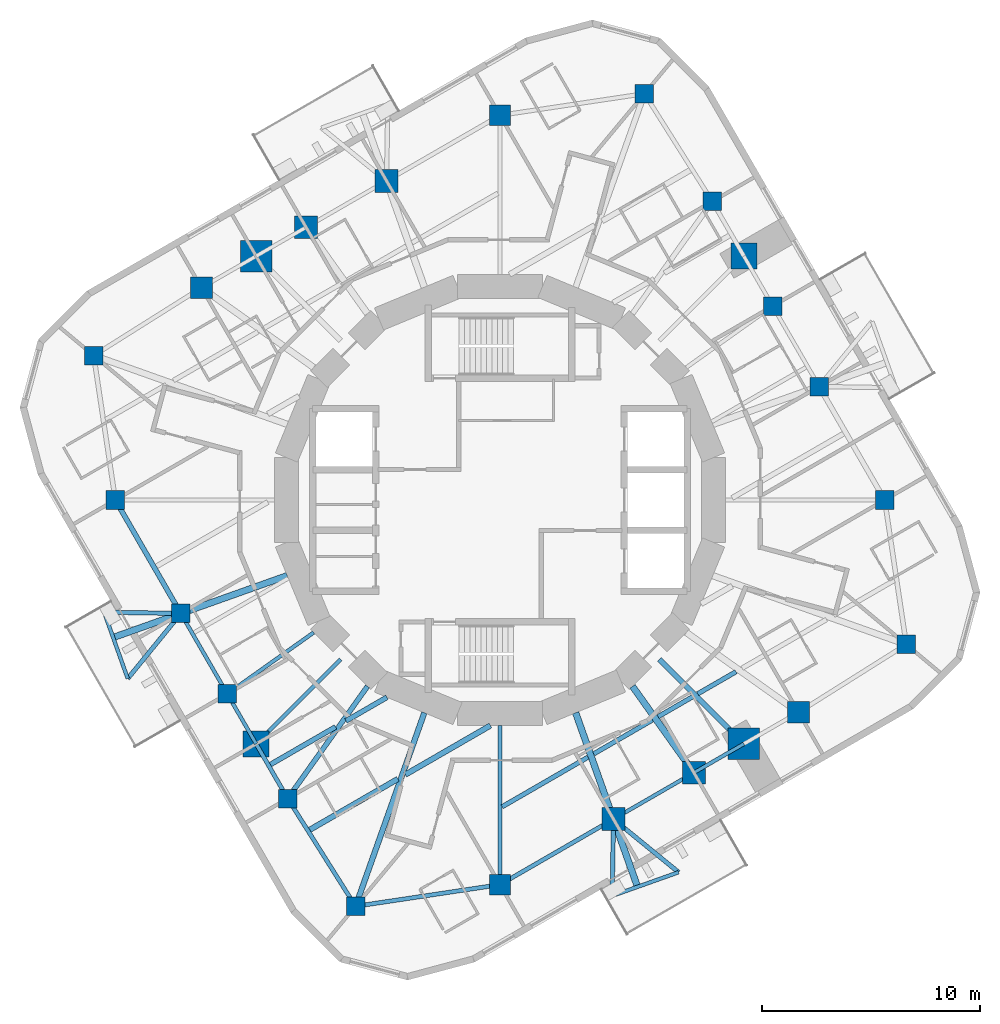
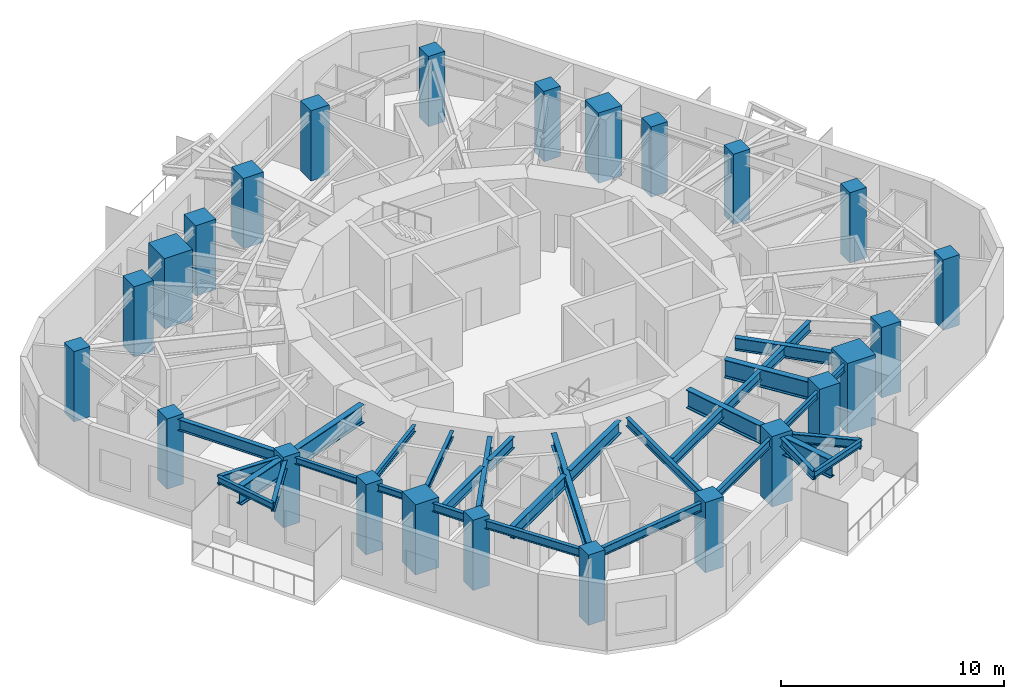
# One storey, part 1 of 11: 32 beams, 24 columns.
"""IFC4 building model written with IfcOpenShell, lengths in metres."""

from ifc_helpers import new_model, si_unit, direction, frame, origin, origin_2d, place, context, subcontext, project, spatial, rectangle, i_section, extrude, material, material_profile, profile_set, type_object, element, save


model = new_model("IFC4")

# Units and contexts
model_context = context("Model", 3, precision=1e-05, world=origin(), true_north=direction((0.0, 1.0)))
body_context = subcontext(model_context, "Body", "Model", "MODEL_VIEW")
ifc_project = project(units=[si_unit("LENGTHUNIT", "METRE"), si_unit("AREAUNIT", "SQUARE_METRE"), si_unit("VOLUMEUNIT", "CUBIC_METRE"), si_unit("PLANEANGLEUNIT", "RADIAN"), si_unit("MASSUNIT", "GRAM", prefix="KILO")], contexts=[model_context])

# Site, building, storey
site_placement = place(None, origin())
site = spatial("IfcSite", under=ifc_project, at=site_placement, CompositionType="ELEMENT")
building_placement = place(site_placement, origin())
building = spatial("IfcBuilding", under=site, at=building_placement, Name="Nakasero Lantern House", CompositionType="ELEMENT")
storey_placement = place(building_placement, frame((0.0, 0.0, 246.199951171875)))
storey = spatial("IfcBuildingStorey", under=building, at=storey_placement, Name="L60", CompositionType="ELEMENT", Elevation=246.199951171875)

# Columns
ifc_material_1 = material(Name="Concrete C45/55", Category="concrete")
ifc_material_profile_1 = material_profile(ifc_material_1, rectangle(XDim=1.199951171875, YDim=1.199951171875, at=origin_2d()), Name="RC 1200x1200")
ifc_profile_set_1 = profile_set([ifc_material_profile_1], Name="Concrete C45/55")
column_type_1 = type_object("IfcColumnType", Name="Mega column RC 1200x1200 C45/55", PredefinedType="COLUMN", material=ifc_profile_set_1)
for number, where, z_axis, x_axis, name in (
    (1, (11.200439453125, 11.200439453125, 0.0), (0.0, 0.0, 1.0), (1.0, 0.0, 0.0), "Column B6-C06 L60"),
    (2, (-11.200439453125, -11.200439453125, 0.0), (0.0, 0.0, 1.0), (1.0, 0.0, 0.0), "Column B6-C18 L60"),
):
    element("IfcColumn", number, at=place(storey_placement, frame(where, z_axis=z_axis, x_axis=x_axis)), inside=storey, type_object=column_type_1, Name=name, PredefinedType="COLUMN", context=body_context, shape_type="SweptSolid", body=[
        extrude(rectangle(XDim=1.199951171875, YDim=1.199951171875, at=origin_2d()), origin(), (0.0, 0.0, 1.0), 3.85009765625),
    ])
ifc_material_2 = material(Name="Concrete C45/55", Category="concrete")
ifc_material_profile_2 = material_profile(ifc_material_2, rectangle(XDim=1.449951171875, YDim=1.449951171875, at=origin_2d()), Name="RC 1450x1450")
ifc_profile_set_2 = profile_set([ifc_material_profile_2], Name="Concrete C45/55")
column_type_2 = type_object("IfcColumnType", Name="Mega column RC 1450x1450 C45/55", PredefinedType="COLUMN", material=ifc_profile_set_2)
for number, where, z_axis, x_axis, name in (
    (3, (-11.200439453125, 11.200439453125, 0.0), (0.0, 0.0, 1.0), (1.0, 0.0, 0.0), "Column B6-C12 L60"),
    (4, (11.200439453125, -11.200439453125, 0.0), (0.0, 0.0, 1.0), (1.0, 0.0, 0.0), "Column B6-C24 L60"),
):
    element("IfcColumn", number, at=place(storey_placement, frame(where, z_axis=z_axis, x_axis=x_axis)), inside=storey, type_object=column_type_2, Name=name, PredefinedType="COLUMN", context=body_context, shape_type="SweptSolid", body=[
        extrude(rectangle(XDim=1.449951171875, YDim=1.449951171875, at=origin_2d()), origin(), (0.0, 0.0, 1.0), 3.85009765625),
    ])
ifc_material_3 = material(Name="Concrete C45/55", Category="concrete")
ifc_material_profile_3 = material_profile(ifc_material_3, rectangle(XDim=1.0, YDim=1.0, at=origin_2d()), Name="RC 1000x1000")
ifc_profile_set_3 = profile_set([ifc_material_profile_3], Name="Concrete C45/55")
column_type_3 = type_object("IfcColumnType", Name="Ring column RC 1000x1000 C45/55", PredefinedType="COLUMN", material=ifc_profile_set_3)
for number, where, z_axis, x_axis, name in (
    (5, (13.711669921875, -9.75048828125, 0.0), (0.0, 0.0, 1.0), (1.0, 0.0, 0.0), "Column B6-C01 L60"),
    (6, (-13.711669921875, 9.75048828125, 0.0), (0.0, 0.0, 1.0), (1.0, 0.0, 0.0), "Column B6-C13 L60"),
):
    element("IfcColumn", number, at=place(storey_placement, frame(where, z_axis=z_axis, x_axis=x_axis)), inside=storey, type_object=column_type_3, Name=name, PredefinedType="COLUMN", context=body_context, shape_type="SweptSolid", body=[
        extrude(rectangle(XDim=1.0, YDim=1.0, at=origin_2d()), origin(), (0.0, 0.0, 1.0), 3.85009765625),
    ])
ifc_material_4 = material(Name="Concrete C45/55", Category="concrete")
ifc_material_profile_4 = material_profile(ifc_material_4, rectangle(XDim=1.050048828125, YDim=1.050048828125, at=origin_2d()), Name="RC 1050x1050")
ifc_profile_set_4 = profile_set([ifc_material_profile_4], Name="Concrete C45/55")
column_type_4 = type_object("IfcColumnType", Name="Ring column RC 1050x1050 C45/55", PredefinedType="COLUMN", material=ifc_profile_set_4)
for number, where, z_axis, x_axis, name in (
    (7, (-5.211669921875, 14.657958984375, 0.0), (0.0, 0.0, 1.0), (1.0, 0.0, 0.0), "Column B6-C10 L60"),
    (8, (-8.906494140625, 12.524658203125, 0.0), (0.0, 0.0, 1.0), (1.0, 0.0, 0.0), "Column B6-C11 L60"),
    (9, (5.211669921875, -14.657958984375, 0.0), (0.0, 0.0, 1.0), (1.0, 0.0, 0.0), "Column B6-C22 L60"),
    (10, (8.906494140625, -12.524658203125, 0.0), (0.0, 0.0, 1.0), (1.0, 0.0, 0.0), "Column B6-C23 L60"),
):
    element("IfcColumn", number, at=place(storey_placement, frame(where, z_axis=z_axis, x_axis=x_axis)), inside=storey, type_object=column_type_4, Name=name, PredefinedType="COLUMN", context=body_context, shape_type="SweptSolid", body=[
        extrude(rectangle(XDim=1.050048828125, YDim=1.050048828125, at=origin_2d()), origin(), (0.0, 0.0, 1.0), 3.85009765625),
    ])
ifc_material_5 = material(Name="Concrete C45/55", Category="concrete")
ifc_material_profile_5 = material_profile(ifc_material_5, rectangle(XDim=0.85009765625, YDim=0.85009765625, at=origin_2d()), Name="RC 850x850")
ifc_profile_set_5 = profile_set([ifc_material_profile_5], Name="Concrete C45/55")
column_type_5 = type_object("IfcColumnType", Name="Ring column RC 850x850 C45/55", PredefinedType="COLUMN", material=ifc_profile_set_5)
for number, where, z_axis, x_axis, name in (
    (11, (18.661376953125, -6.63525390625, 0.0), (0.0, 0.0, 1.0), (1.0, 0.0, 0.0), "Column B6-C02 L60"),
    (12, (17.6669921875, 0.0, 0.0), (0.0, 0.0, 1.0), (1.0, 0.0, 0.0), "Column B6-C03 L60"),
    (13, (14.657958984375, 5.211669921875, 0.0), (0.0, 0.0, 1.0), (1.0, 0.0, 0.0), "Column B6-C04 L60"),
    (14, (12.524658203125, 8.906494140625, 0.0), (0.0, 0.0, 1.0), (1.0, 0.0, 0.0), "Column B6-C05 L60"),
    (15, (9.75048828125, 13.711669921875, 0.0), (0.0, 0.0, 1.0), (1.0, 0.0, 0.0), "Column B6-C07 L60"),
    (16, (6.63525390625, 18.661376953125, 0.0), (0.0, 0.0, 1.0), (1.0, 0.0, 0.0), "Column B6-C08 L60"),
    (17, (-18.661376953125, 6.63525390625, 0.0), (0.0, 0.0, 1.0), (1.0, 0.0, 0.0), "Column B6-C14 L60"),
    (18, (-17.6669921875, 0.0, 0.0), (0.0, 0.0, 1.0), (1.0, 0.0, 0.0), "Column B6-C15 L60"),
    (19, (-14.657958984375, -5.211669921875, 0.0), (0.0, 0.0, 1.0), (1.0, 0.0, 0.0), "Column B6-C16 L60"),
    (20, (-12.524658203125, -8.906494140625, 0.0), (0.0, 0.0, 1.0), (1.0, 0.0, 0.0), "Column B6-C17 L60"),
    (21, (-9.75048828125, -13.711669921875, 0.0), (0.0, 0.0, 1.0), (1.0, 0.0, 0.0), "Column B6-C19 L60"),
    (22, (-6.63525390625, -18.661376953125, 0.0), (0.0, 0.0, 1.0), (1.0, 0.0, 0.0), "Column B6-C20 L60"),
):
    element("IfcColumn", number, at=place(storey_placement, frame(where, z_axis=z_axis, x_axis=x_axis)), inside=storey, type_object=column_type_5, Name=name, PredefinedType="COLUMN", context=body_context, shape_type="SweptSolid", body=[
        extrude(rectangle(XDim=0.85009765625, YDim=0.85009765625, at=origin_2d()), origin(), (0.0, 0.0, 1.0), 3.85009765625),
    ])
ifc_material_6 = material(Name="Concrete C45/55", Category="concrete")
ifc_material_profile_6 = material_profile(ifc_material_6, rectangle(XDim=0.949951171875, YDim=0.949951171875, at=origin_2d()), Name="RC 950x950")
ifc_profile_set_6 = profile_set([ifc_material_profile_6], Name="Concrete C45/55")
column_type_6 = type_object("IfcColumnType", Name="Ring column RC 950x950 C45/55", PredefinedType="COLUMN", material=ifc_profile_set_6)
for number, where, z_axis, x_axis, name in (
    (23, (0.0, 17.6669921875, 0.0), (0.0, 0.0, 1.0), (1.0, 0.0, 0.0), "Column B6-C09 L60"),
    (24, (0.0, -17.6669921875, 0.0), (0.0, 0.0, 1.0), (1.0, 0.0, 0.0), "Column B6-C21 L60"),
):
    element("IfcColumn", number, at=place(storey_placement, frame(where, z_axis=z_axis, x_axis=x_axis)), inside=storey, type_object=column_type_6, Name=name, PredefinedType="COLUMN", context=body_context, shape_type="SweptSolid", body=[
        extrude(rectangle(XDim=0.949951171875, YDim=0.949951171875, at=origin_2d()), origin(), (0.0, 0.0, 1.0), 3.85009765625),
    ])

# Beams
ifc_material_7 = material(Name="Steel S355", Category="steel")
ifc_material_profile_7 = material_profile(ifc_material_7, i_section(OverallWidth=0.199462890625, OverallDepth=0.491943359375, WebThickness=0.01806640625, FlangeThickness=0.031982421875, FilletRadius=0.01025390625, at=origin_2d()), Name="UB 457x191x161")
ifc_profile_set_7 = profile_set([ifc_material_profile_7], Name="Steel S355")
beam_type_1 = type_object("IfcBeamType", Name="Balcony splay beam UB 457x191x161", PredefinedType="BEAM", material=ifc_profile_set_7)
beam_1_placement = place(storey_placement, frame((-14.657958984375, -5.211669921875, 3.404052734375), z_axis=(-0.632127727159, -0.774864205236, 0.0), x_axis=(0.774864205236, -0.632127727159, 0.0)))
element("IfcBeam", 25, at=beam_1_placement, inside=storey, type_object=beam_type_1, Name="Balcony splay beam L61 B6-C16A", PredefinedType="BEAM", context=body_context, shape_type="SweptSolid", body=[
    extrude(i_section(OverallWidth=0.199462890625, OverallDepth=0.491943359375, WebThickness=0.01806640625, FlangeThickness=0.031982421875, FilletRadius=0.01025390625, at=origin_2d()), origin(), (0.0, 0.0, 1.0), 3.858642578125),
])
beam_2_placement = place(storey_placement, frame((-14.657958984375, -5.211669921875, 3.404052734375), z_axis=(-0.99985827803, 0.016835196893, 0.0), x_axis=(-0.016835196893, -0.99985827803, 0.0)))
element("IfcBeam", 26, at=beam_2_placement, inside=storey, type_object=beam_type_1, Name="Balcony splay beam L61 B6-C16B", PredefinedType="BEAM", context=body_context, shape_type="SweptSolid", body=[
    extrude(i_section(OverallWidth=0.199462890625, OverallDepth=0.491943359375, WebThickness=0.01806640625, FlangeThickness=0.031982421875, FilletRadius=0.01025390625, at=origin_2d()), origin(), (0.0, 0.0, 1.0), 3.52392578125),
])
beam_3_placement = place(storey_placement, frame((5.211669921875, -14.657958984375, 3.404052734375), z_axis=(0.774864205236, -0.632127727159, 0.0), x_axis=(0.632127727159, 0.774864205236, 0.0)))
element("IfcBeam", 27, at=beam_3_placement, inside=storey, type_object=beam_type_1, Name="Balcony splay beam L61 B6-C22A", PredefinedType="BEAM", context=body_context, shape_type="SweptSolid", body=[
    extrude(i_section(OverallWidth=0.199462890625, OverallDepth=0.491943359375, WebThickness=0.01806640625, FlangeThickness=0.031982421875, FilletRadius=0.01025390625, at=origin_2d()), origin(), (0.0, 0.0, 1.0), 3.858642578125),
])
beam_4_placement = place(storey_placement, frame((5.211669921875, -14.657958984375, 3.404052734375), z_axis=(-0.016835196893, -0.99985827803, 0.0), x_axis=(0.99985827803, -0.016835196893, 0.0)))
element("IfcBeam", 28, at=beam_4_placement, inside=storey, type_object=beam_type_1, Name="Balcony splay beam L61 B6-C22B", PredefinedType="BEAM", context=body_context, shape_type="SweptSolid", body=[
    extrude(i_section(OverallWidth=0.199462890625, OverallDepth=0.491943359375, WebThickness=0.01806640625, FlangeThickness=0.031982421875, FilletRadius=0.01025390625, at=origin_2d()), origin(), (0.0, 0.0, 1.0), 3.52392578125),
])
ifc_material_8 = material(Name="Steel S355", Category="steel")
ifc_material_profile_8 = material_profile(ifc_material_8, i_section(OverallWidth=0.17138671875, OverallDepth=0.35498046875, WebThickness=0.00732421875, FlangeThickness=0.011474609375, FilletRadius=0.01025390625, at=origin_2d()), Name="UB 356x171x51")
ifc_profile_set_8 = profile_set([ifc_material_profile_8], Name="Steel S355")
beam_type_2 = type_object("IfcBeamType", Name="Balcony tie beam UB 356x171x51", PredefinedType="BEAM", material=ifc_profile_set_8)
for number, where, z_axis, x_axis, name in (
    (29, (-17.09716796875, -8.20166015625, 3.47265625), (-0.335017108852, 0.942212044487, 0.0), (-0.942212044487, -0.335017108852, 0.0), "Balcony tie beam L61 B6-C16"),
    (30, (8.20166015625, -17.09716796875, 3.47265625), (-0.942212044487, -0.335017108852, 0.0), (0.335017108852, -0.942212044487, 0.0), "Balcony tie beam L61 B6-C22"),
):
    element("IfcBeam", number, at=place(storey_placement, frame(where, z_axis=z_axis, x_axis=x_axis)), inside=storey, type_object=beam_type_2, Name=name, PredefinedType="BEAM", context=body_context, shape_type="SweptSolid", body=[
        extrude(i_section(OverallWidth=0.17138671875, OverallDepth=0.35498046875, WebThickness=0.00732421875, FlangeThickness=0.011474609375, FilletRadius=0.01025390625, at=origin_2d()), origin(), (0.0, 0.0, 1.0), 3.236328125),
    ])
ifc_material_9 = material(Name="Steel S355", Category="steel")
ifc_material_profile_9 = material_profile(ifc_material_9, i_section(OverallWidth=0.2099609375, OverallDepth=0.53662109375, WebThickness=0.0107421875, FlangeThickness=0.017333984375, FilletRadius=0.0126953125, at=origin_2d()), Name="UB 533x210x101")
ifc_profile_set_9 = profile_set([ifc_material_profile_9], Name="Steel S355")
beam_type_3 = type_object("IfcBeamType", Name="Infill beam UB 533x210x101", PredefinedType="JOIST", material=ifc_profile_set_9)
beam_5_placement = place(storey_placement, frame((0.095703125, -14.08984375, 3.381591796875), z_axis=(0.866027576455, 0.499996236806, 0.0), x_axis=(-0.499996236806, 0.866027576455, 0.0)))
element("IfcBeam", 31, at=beam_5_placement, inside=storey, type_object=beam_type_3, Name="Infill beam L61 03.1", PredefinedType="JOIST", context=body_context, shape_type="SweptSolid", body=[
    extrude(i_section(OverallWidth=0.2099609375, OverallDepth=0.53662109375, WebThickness=0.0107421875, FlangeThickness=0.017333984375, FilletRadius=0.0126953125, at=origin_2d()), origin(), (0.0, 0.0, 1.0), 4.55419921875),
])
beam_6_placement = place(storey_placement, frame((4.3056640625, -11.6591796875, 3.381591796875), z_axis=(0.866018346476, 0.500012223418, 0.0), x_axis=(-0.500012223418, 0.866018346476, 0.0)))
element("IfcBeam", 32, at=beam_6_placement, inside=storey, type_object=beam_type_3, Name="Infill beam L61 03.2", PredefinedType="JOIST", context=body_context, shape_type="SweptSolid", body=[
    extrude(i_section(OverallWidth=0.2099609375, OverallDepth=0.53662109375, WebThickness=0.0107421875, FlangeThickness=0.017333984375, FilletRadius=0.0126953125, at=origin_2d()), origin(), (0.0, 0.0, 1.0), 3.11181640625),
])
beam_7_placement = place(storey_placement, frame((7.261474609375, -9.95263671875, 3.381591796875), z_axis=(0.866028611999, 0.499994443168, 0.0), x_axis=(-0.499994443168, 0.866028611999, 0.0)))
element("IfcBeam", 33, at=beam_7_placement, inside=storey, type_object=beam_type_3, Name="Infill beam L61 03.3", PredefinedType="JOIST", context=body_context, shape_type="SweptSolid", body=[
    extrude(i_section(OverallWidth=0.2099609375, OverallDepth=0.53662109375, WebThickness=0.0107421875, FlangeThickness=0.017333984375, FilletRadius=0.0126953125, at=origin_2d()), origin(), (0.0, 0.0, 1.0), 1.8388671875),
])
beam_8_placement = place(storey_placement, frame((9.081298828125, -8.90185546875, 3.381591796875), z_axis=(0.866073420066, 0.499916824138, 0.0), x_axis=(-0.499916824138, 0.866073420066, 0.0)))
element("IfcBeam", 34, at=beam_8_placement, inside=storey, type_object=beam_type_3, Name="Infill beam L61 03.4", PredefinedType="JOIST", context=body_context, shape_type="SweptSolid", body=[
    extrude(i_section(OverallWidth=0.2099609375, OverallDepth=0.53662109375, WebThickness=0.0107421875, FlangeThickness=0.017333984375, FilletRadius=0.0126953125, at=origin_2d()), origin(), (0.0, 0.0, 1.0), 2.029541015625),
])
ifc_material_10 = material(Name="Steel S355", Category="steel")
ifc_material_profile_10 = material_profile(ifc_material_10, i_section(OverallWidth=0.22900390625, OverallDepth=0.6123046875, WebThickness=0.011962890625, FlangeThickness=0.01953125, FilletRadius=0.0126953125, at=origin_2d()), Name="UB 610x229x125")
ifc_profile_set_10 = profile_set([ifc_material_profile_10], Name="Steel S355")
beam_type_4 = type_object("IfcBeamType", Name="Infill beam UB 610x229x125", PredefinedType="JOIST", material=ifc_profile_set_10)
beam_9_placement = place(storey_placement, frame((-10.542236328125, -12.14892578125, 3.343994140625), z_axis=(0.866006607564, 0.500032554596, 0.0), x_axis=(-0.500032554596, 0.866006607564, 0.0)))
element("IfcBeam", 35, at=beam_9_placement, inside=storey, type_object=beam_type_4, Name="Infill beam L61 05.1", PredefinedType="JOIST", context=body_context, shape_type="SweptSolid", body=[
    extrude(i_section(OverallWidth=0.22900390625, OverallDepth=0.6123046875, WebThickness=0.011962890625, FlangeThickness=0.01953125, FilletRadius=0.0126953125, at=origin_2d()), origin(), (0.0, 0.0, 1.0), 3.452880859375),
])
beam_10_placement = place(storey_placement, frame((-7.0751953125, -10.14697265625, 3.343994140625), z_axis=(0.866043427695, 0.499968780372, 0.0), x_axis=(-0.499968780372, 0.866043427695, 0.0)))
element("IfcBeam", 36, at=beam_10_placement, inside=storey, type_object=beam_type_4, Name="Infill beam L61 05.2", PredefinedType="JOIST", context=body_context, shape_type="SweptSolid", body=[
    extrude(i_section(OverallWidth=0.22900390625, OverallDepth=0.6123046875, WebThickness=0.011962890625, FlangeThickness=0.01953125, FilletRadius=0.0126953125, at=origin_2d()), origin(), (0.0, 0.0, 1.0), 2.173583984375),
])
ifc_material_11 = material(Name="Steel S355", Category="steel")
ifc_material_profile_11 = material_profile(ifc_material_11, i_section(OverallWidth=0.253662109375, OverallDepth=0.68359375, WebThickness=0.012451171875, FlangeThickness=0.01904296875, FilletRadius=0.01513671875, at=origin_2d()), Name="UB 686x254x140")
ifc_profile_set_11 = profile_set([ifc_material_profile_11], Name="Steel S355")
beam_type_5 = type_object("IfcBeamType", Name="Infill beam UB 686x254x140", PredefinedType="JOIST", material=ifc_profile_set_11)
beam_11_placement = place(storey_placement, frame((-8.735107421875, -15.146728515625, 3.308349609375), z_axis=(0.866030607649, 0.499990986534, 0.0), x_axis=(-0.499990986534, 0.866030607649, 0.0)))
element("IfcBeam", 37, at=beam_11_placement, inside=storey, type_object=beam_type_5, Name="Infill beam L61 04.1", PredefinedType="JOIST", context=body_context, shape_type="SweptSolid", body=[
    extrude(i_section(OverallWidth=0.253662109375, OverallDepth=0.68359375, WebThickness=0.012451171875, FlangeThickness=0.01904296875, FilletRadius=0.01513671875, at=origin_2d()), origin(), (0.0, 0.0, 1.0), 4.66943359375),
])
beam_12_placement = place(storey_placement, frame((-4.349609375, -12.61474609375, 3.308349609375), z_axis=(0.86603787505, 0.499978398512, 0.0), x_axis=(-0.499978398512, 0.86603787505, 0.0)))
element("IfcBeam", 38, at=beam_12_placement, inside=storey, type_object=beam_type_5, Name="Infill beam L61 04.2", PredefinedType="JOIST", context=body_context, shape_type="SweptSolid", body=[
    extrude(i_section(OverallWidth=0.253662109375, OverallDepth=0.68359375, WebThickness=0.012451171875, FlangeThickness=0.01904296875, FilletRadius=0.01513671875, at=origin_2d()), origin(), (0.0, 0.0, 1.0), 4.513916015625),
])
ifc_material_12 = material(Name="Steel S355", Category="steel")
ifc_material_profile_12 = material_profile(ifc_material_12, i_section(OverallWidth=0.300048828125, OverallDepth=0.989990234375, WebThickness=0.0166015625, FlangeThickness=0.031005859375, FilletRadius=0.030029296875, at=origin_2d()), Name="UB 1016x305x272")
ifc_profile_set_12 = profile_set([ifc_material_profile_12], Name="Steel S355")
beam_type_6 = type_object("IfcBeamType", Name="Primary beam UB 1016x305x272, span to 6 m", PredefinedType="BEAM", material=ifc_profile_set_12)
beam_13_placement = place(storey_placement, frame((8.906494140625, -12.524658203125, 3.155029296875), z_axis=(-0.579513415446, 0.814962699342, 0.0), x_axis=(-0.814962699342, -0.579513415446, 0.0)))
element("IfcBeam", 39, at=beam_13_placement, inside=storey, type_object=beam_type_6, Name="Primary beam L61 B6-C23", PredefinedType="BEAM", context=body_context, shape_type="SweptSolid", body=[
    extrude(i_section(OverallWidth=0.300048828125, OverallDepth=0.989990234375, WebThickness=0.0166015625, FlangeThickness=0.031005859375, FilletRadius=0.030029296875, at=origin_2d()), origin(), (0.0, 0.0, 1.0), 4.8642578125),
])
ifc_material_13 = material(Name="Steel S355", Category="steel")
ifc_material_profile_13 = material_profile(ifc_material_13, i_section(OverallWidth=0.302001953125, OverallDepth=1.008056640625, WebThickness=0.02099609375, FlangeThickness=0.0400390625, FilletRadius=0.030029296875, at=origin_2d()), Name="UB 1016x305x349")
ifc_profile_set_13 = profile_set([ifc_material_profile_13], Name="Steel S355")
beam_type_7 = type_object("IfcBeamType", Name="Primary beam UB 1016x305x349, span to 6 m", PredefinedType="BEAM", material=ifc_profile_set_13)
for number, where, z_axis, x_axis, name in (
    (40, (-17.767333984375, -6.317138671875, 3.14599609375), (0.94222457875, 0.33498185503, 0.0), (-0.33498185503, 0.94222457875, 0.0), "Primary beam L61 B6-C16"),
    (41, (6.317138671875, -17.767333984375, 3.14599609375), (-0.33498185503, 0.94222457875, 0.0), (-0.94222457875, -0.33498185503, 0.0), "Primary beam L61 B6-C22"),
):
    element("IfcBeam", number, at=place(storey_placement, frame(where, z_axis=z_axis, x_axis=x_axis)), inside=storey, type_object=beam_type_7, Name=name, PredefinedType="BEAM", context=body_context, shape_type="SweptSolid", body=[
        extrude(i_section(OverallWidth=0.302001953125, OverallDepth=1.008056640625, WebThickness=0.02099609375, FlangeThickness=0.0400390625, FilletRadius=0.030029296875, at=origin_2d()), origin(), (0.0, 0.0, 1.0), 8.485595703125),
    ])
ifc_material_14 = material(Name="Steel S355", Category="steel")
ifc_material_profile_14 = material_profile(ifc_material_14, i_section(OverallWidth=0.17138671875, OverallDepth=0.35498046875, WebThickness=0.00732421875, FlangeThickness=0.011474609375, FilletRadius=0.01025390625, at=origin_2d()), Name="UB 356x171x51")
ifc_profile_set_14 = profile_set([ifc_material_profile_14], Name="Steel S355")
beam_type_8 = type_object("IfcBeamType", Name="Primary beam UB 356x171x51, span to 6 m", PredefinedType="BEAM", material=ifc_profile_set_14)
beam_14_placement = place(storey_placement, frame((-12.524658203125, -8.906494140625, 3.47265625), z_axis=(0.814962699342, 0.579513415446, 0.0), x_axis=(-0.579513415446, 0.814962699342, 0.0)))
element("IfcBeam", 42, at=beam_14_placement, inside=storey, type_object=beam_type_8, Name="Primary beam L61 B6-C17", PredefinedType="BEAM", context=body_context, shape_type="SweptSolid", body=[
    extrude(i_section(OverallWidth=0.17138671875, OverallDepth=0.35498046875, WebThickness=0.00732421875, FlangeThickness=0.011474609375, FilletRadius=0.01025390625, at=origin_2d()), origin(), (0.0, 0.0, 1.0), 4.8642578125),
])
beam_15_placement = place(storey_placement, frame((-11.200439453125, -11.200439453125, 3.47265625), z_axis=(0.707106781187, 0.707106781187, 0.0), x_axis=(-0.707106781187, 0.707106781187, 0.0)))
element("IfcBeam", 43, at=beam_15_placement, inside=storey, type_object=beam_type_8, Name="Primary beam L61 B6-C18", PredefinedType="BEAM", context=body_context, shape_type="SweptSolid", body=[
    extrude(i_section(OverallWidth=0.17138671875, OverallDepth=0.35498046875, WebThickness=0.00732421875, FlangeThickness=0.011474609375, FilletRadius=0.01025390625, at=origin_2d()), origin(), (0.0, 0.0, 1.0), 5.481689453125),
])
ifc_material_15 = material(Name="Steel S355", Category="steel")
ifc_material_profile_15 = material_profile(ifc_material_15, i_section(OverallWidth=0.19140625, OverallDepth=0.4599609375, WebThickness=0.010009765625, FlangeThickness=0.01611328125, FilletRadius=0.01025390625, at=origin_2d()), Name="UB 457x191x82")
ifc_profile_set_15 = profile_set([ifc_material_profile_15], Name="Steel S355")
beam_type_9 = type_object("IfcBeamType", Name="Primary beam UB 457x191x82, span 6 to 9 m", PredefinedType="BEAM", material=ifc_profile_set_15)
beam_16_placement = place(storey_placement, frame((0.0, -17.6669921875, 3.420166015625), z_axis=(0.0, 1.0, 0.0), x_axis=(-1.0, 0.0, 0.0)))
element("IfcBeam", 44, at=beam_16_placement, inside=storey, type_object=beam_type_9, Name="Primary beam L61 B6-C21", PredefinedType="BEAM", context=body_context, shape_type="SweptSolid", body=[
    extrude(i_section(OverallWidth=0.19140625, OverallDepth=0.4599609375, WebThickness=0.010009765625, FlangeThickness=0.01611328125, FilletRadius=0.01025390625, at=origin_2d()), origin(), (0.0, 0.0, 1.0), 7.30908203125),
])
ifc_material_16 = material(Name="Steel S355", Category="steel")
ifc_material_profile_16 = material_profile(ifc_material_16, i_section(OverallWidth=0.22900390625, OverallDepth=0.6123046875, WebThickness=0.011962890625, FlangeThickness=0.01953125, FilletRadius=0.0126953125, at=origin_2d()), Name="UB 610x229x125")
ifc_profile_set_16 = profile_set([ifc_material_profile_16], Name="Steel S355")
beam_type_10 = type_object("IfcBeamType", Name="Primary beam UB 610x229x125, span 6 to 9 m", PredefinedType="BEAM", material=ifc_profile_set_16)
beam_17_placement = place(storey_placement, frame((-9.75048828125, -13.711669921875, 3.343994140625), z_axis=(0.579504973637, 0.814968702178, 0.0), x_axis=(-0.814968702178, 0.579504973637, 0.0)))
element("IfcBeam", 45, at=beam_17_placement, inside=storey, type_object=beam_type_10, Name="Primary beam L61 B6-C19", PredefinedType="BEAM", context=body_context, shape_type="SweptSolid", body=[
    extrude(i_section(OverallWidth=0.22900390625, OverallDepth=0.6123046875, WebThickness=0.011962890625, FlangeThickness=0.01953125, FilletRadius=0.0126953125, at=origin_2d()), origin(), (0.0, 0.0, 1.0), 6.320556640625),
])
ifc_material_17 = material(Name="Steel S355", Category="steel")
ifc_material_profile_17 = material_profile(ifc_material_17, i_section(OverallWidth=0.253662109375, OverallDepth=0.68359375, WebThickness=0.012451171875, FlangeThickness=0.01904296875, FilletRadius=0.01513671875, at=origin_2d()), Name="UB 686x254x140")
ifc_profile_set_17 = profile_set([ifc_material_profile_17], Name="Steel S355")
beam_type_11 = type_object("IfcBeamType", Name="Primary beam UB 686x254x140, span to 6 m", PredefinedType="BEAM", material=ifc_profile_set_17)
beam_18_placement = place(storey_placement, frame((11.200439453125, -11.200439453125, 3.308349609375), z_axis=(-0.707106781187, 0.707106781187, 0.0), x_axis=(-0.707106781187, -0.707106781187, 0.0)))
element("IfcBeam", 46, at=beam_18_placement, inside=storey, type_object=beam_type_11, Name="Primary beam L61 B6-C24", PredefinedType="BEAM", context=body_context, shape_type="SweptSolid", body=[
    extrude(i_section(OverallWidth=0.253662109375, OverallDepth=0.68359375, WebThickness=0.012451171875, FlangeThickness=0.01904296875, FilletRadius=0.01513671875, at=origin_2d()), origin(), (0.0, 0.0, 1.0), 5.481689453125),
])
ifc_material_18 = material(Name="Steel S355", Category="steel")
ifc_material_profile_18 = material_profile(ifc_material_18, i_section(OverallWidth=0.255859375, OverallDepth=0.69287109375, WebThickness=0.014404296875, FlangeThickness=0.023681640625, FilletRadius=0.01513671875, at=origin_2d()), Name="UB 686x254x170")
ifc_profile_set_18 = profile_set([ifc_material_profile_18], Name="Steel S355")
beam_type_12 = type_object("IfcBeamType", Name="Primary beam UB 686x254x170, span 9 to 12 m", PredefinedType="BEAM", material=ifc_profile_set_18)
beam_19_placement = place(storey_placement, frame((-6.63525390625, -18.661376953125, 3.3037109375), z_axis=(0.335006604588, 0.942215779364, 0.0), x_axis=(-0.942215779364, 0.335006604588, 0.0)))
element("IfcBeam", 47, at=beam_19_placement, inside=storey, type_object=beam_type_12, Name="Primary beam L61 B6-C20", PredefinedType="BEAM", context=body_context, shape_type="SweptSolid", body=[
    extrude(i_section(OverallWidth=0.255859375, OverallDepth=0.69287109375, WebThickness=0.014404296875, FlangeThickness=0.023681640625, FilletRadius=0.01513671875, at=origin_2d()), origin(), (0.0, 0.0, 1.0), 9.4345703125),
])
ifc_material_19 = material(Name="Steel S355", Category="steel")
ifc_material_profile_19 = material_profile(ifc_material_19, i_section(OverallWidth=0.17138671875, OverallDepth=0.35498046875, WebThickness=0.00732421875, FlangeThickness=0.011474609375, FilletRadius=0.01025390625, at=origin_2d()), Name="UB 356x171x51")
ifc_profile_set_19 = profile_set([ifc_material_profile_19], Name="Steel S355")
beam_type_13 = type_object("IfcBeamType", Name="Ring beam UB 356x171x51", PredefinedType="BEAM", material=ifc_profile_set_19)
beam_20_placement = place(storey_placement, frame((-14.657958984375, -5.211669921875, 3.47265625), z_axis=(0.500016352561, -0.866015962423, 0.0), x_axis=(0.866015962423, 0.500016352561, 0.0)))
element("IfcBeam", 48, at=beam_20_placement, inside=storey, type_object=beam_type_13, Name="Ring beam L61 B6-C16", PredefinedType="BEAM", context=body_context, shape_type="SweptSolid", body=[
    extrude(i_section(OverallWidth=0.17138671875, OverallDepth=0.35498046875, WebThickness=0.00732421875, FlangeThickness=0.011474609375, FilletRadius=0.01025390625, at=origin_2d()), origin(), (0.0, 0.0, 1.0), 4.266357421875),
])
beam_21_placement = place(storey_placement, frame((-12.524658203125, -8.906494140625, 3.47265625), z_axis=(0.499945861543, -0.866056658381, 0.0), x_axis=(0.866056658381, 0.499945861543, 0.0)))
element("IfcBeam", 49, at=beam_21_placement, inside=storey, type_object=beam_type_13, Name="Ring beam L61 B6-C17", PredefinedType="BEAM", context=body_context, shape_type="SweptSolid", body=[
    extrude(i_section(OverallWidth=0.17138671875, OverallDepth=0.35498046875, WebThickness=0.00732421875, FlangeThickness=0.011474609375, FilletRadius=0.01025390625, at=origin_2d()), origin(), (0.0, 0.0, 1.0), 2.648681640625),
])
beam_22_placement = place(storey_placement, frame((5.211669921875, -14.657958984375, 3.47265625), z_axis=(0.866015962423, 0.500016352561, 0.0), x_axis=(-0.500016352561, 0.866015962423, 0.0)))
element("IfcBeam", 50, at=beam_22_placement, inside=storey, type_object=beam_type_13, Name="Ring beam L61 B6-C22", PredefinedType="BEAM", context=body_context, shape_type="SweptSolid", body=[
    extrude(i_section(OverallWidth=0.17138671875, OverallDepth=0.35498046875, WebThickness=0.00732421875, FlangeThickness=0.011474609375, FilletRadius=0.01025390625, at=origin_2d()), origin(), (0.0, 0.0, 1.0), 4.266357421875),
])
beam_23_placement = place(storey_placement, frame((8.906494140625, -12.524658203125, 3.47265625), z_axis=(0.866056658381, 0.499945861543, 0.0), x_axis=(-0.499945861543, 0.866056658381, 0.0)))
element("IfcBeam", 51, at=beam_23_placement, inside=storey, type_object=beam_type_13, Name="Ring beam L61 B6-C23", PredefinedType="BEAM", context=body_context, shape_type="SweptSolid", body=[
    extrude(i_section(OverallWidth=0.17138671875, OverallDepth=0.35498046875, WebThickness=0.00732421875, FlangeThickness=0.011474609375, FilletRadius=0.01025390625, at=origin_2d()), origin(), (0.0, 0.0, 1.0), 2.648681640625),
])
ifc_material_20 = material(Name="Steel S355", Category="steel")
ifc_material_profile_20 = material_profile(ifc_material_20, i_section(OverallWidth=0.18994140625, OverallDepth=0.453369140625, WebThickness=0.008544921875, FlangeThickness=0.0126953125, FilletRadius=0.01025390625, at=origin_2d()), Name="UB 457x191x67")
ifc_profile_set_20 = profile_set([ifc_material_profile_20], Name="Steel S355")
beam_type_14 = type_object("IfcBeamType", Name="Ring beam UB 457x191x67", PredefinedType="BEAM", material=ifc_profile_set_20)
beam_24_placement = place(storey_placement, frame((-9.75048828125, -13.711669921875, 3.42333984375), z_axis=(0.532660471024, -0.846329027393, 0.0), x_axis=(0.846329027393, 0.532660471024, 0.0)))
element("IfcBeam", 52, at=beam_24_placement, inside=storey, type_object=beam_type_14, Name="Ring beam L61 B6-C19", PredefinedType="BEAM", context=body_context, shape_type="SweptSolid", body=[
    extrude(i_section(OverallWidth=0.18994140625, OverallDepth=0.453369140625, WebThickness=0.008544921875, FlangeThickness=0.0126953125, FilletRadius=0.01025390625, at=origin_2d()), origin(), (0.0, 0.0, 1.0), 5.848388671875),
])
beam_25_placement = place(storey_placement, frame((0.0, -17.6669921875, 3.42333984375), z_axis=(0.866020066889, 0.50000924366, 0.0), x_axis=(-0.50000924366, 0.866020066889, 0.0)))
element("IfcBeam", 53, at=beam_25_placement, inside=storey, type_object=beam_type_14, Name="Ring beam L61 B6-C21", PredefinedType="BEAM", context=body_context, shape_type="SweptSolid", body=[
    extrude(i_section(OverallWidth=0.18994140625, OverallDepth=0.453369140625, WebThickness=0.008544921875, FlangeThickness=0.0126953125, FilletRadius=0.01025390625, at=origin_2d()), origin(), (0.0, 0.0, 1.0), 6.01806640625),
])
ifc_material_21 = material(Name="Steel S355", Category="steel")
ifc_material_profile_21 = material_profile(ifc_material_21, i_section(OverallWidth=0.19140625, OverallDepth=0.4599609375, WebThickness=0.010009765625, FlangeThickness=0.01611328125, FilletRadius=0.01025390625, at=origin_2d()), Name="UB 457x191x82")
ifc_profile_set_21 = profile_set([ifc_material_profile_21], Name="Steel S355")
beam_type_15 = type_object("IfcBeamType", Name="Ring beam UB 457x191x82", PredefinedType="BEAM", material=ifc_profile_set_21)
beam_26_placement = place(storey_placement, frame((-11.200439453125, -11.200439453125, 3.420166015625), z_axis=(0.500023687443, -0.866011727401, 0.0), x_axis=(0.866011727401, 0.500023687443, 0.0)))
element("IfcBeam", 54, at=beam_26_placement, inside=storey, type_object=beam_type_15, Name="Ring beam L61 B6-C18", PredefinedType="BEAM", context=body_context, shape_type="SweptSolid", body=[
    extrude(i_section(OverallWidth=0.19140625, OverallDepth=0.4599609375, WebThickness=0.010009765625, FlangeThickness=0.01611328125, FilletRadius=0.01025390625, at=origin_2d()), origin(), (0.0, 0.0, 1.0), 2.899658203125),
])
beam_27_placement = place(storey_placement, frame((-6.63525390625, -18.661376953125, 3.420166015625), z_axis=(0.988956095107, 0.148208778253, 0.0), x_axis=(-0.148208778253, 0.988956095107, 0.0)))
element("IfcBeam", 55, at=beam_27_placement, inside=storey, type_object=beam_type_15, Name="Ring beam L61 B6-C20", PredefinedType="BEAM", context=body_context, shape_type="SweptSolid", body=[
    extrude(i_section(OverallWidth=0.19140625, OverallDepth=0.4599609375, WebThickness=0.010009765625, FlangeThickness=0.01611328125, FilletRadius=0.01025390625, at=origin_2d()), origin(), (0.0, 0.0, 1.0), 6.70947265625),
])
ifc_material_22 = material(Name="Steel S355", Category="steel")
ifc_material_profile_22 = material_profile(ifc_material_22, i_section(OverallWidth=0.22900390625, OverallDepth=0.6123046875, WebThickness=0.011962890625, FlangeThickness=0.01953125, FilletRadius=0.0126953125, at=origin_2d()), Name="UB 610x229x125")
ifc_profile_set_22 = profile_set([ifc_material_profile_22], Name="Steel S355")
beam_type_16 = type_object("IfcBeamType", Name="Ring beam UB 610x229x125", PredefinedType="BEAM", material=ifc_profile_set_22)
beam_28_placement = place(storey_placement, frame((-17.6669921875, 0.0, 3.343994140625), z_axis=(0.50000924366, -0.866020066889, 0.0), x_axis=(0.866020066889, 0.50000924366, 0.0)))
element("IfcBeam", 56, at=beam_28_placement, inside=storey, type_object=beam_type_16, Name="Ring beam L61 B6-C15", PredefinedType="BEAM", context=body_context, shape_type="SweptSolid", body=[
    extrude(i_section(OverallWidth=0.22900390625, OverallDepth=0.6123046875, WebThickness=0.011962890625, FlangeThickness=0.01953125, FilletRadius=0.0126953125, at=origin_2d()), origin(), (0.0, 0.0, 1.0), 6.01806640625),
])

save(model, "model.ifc")
